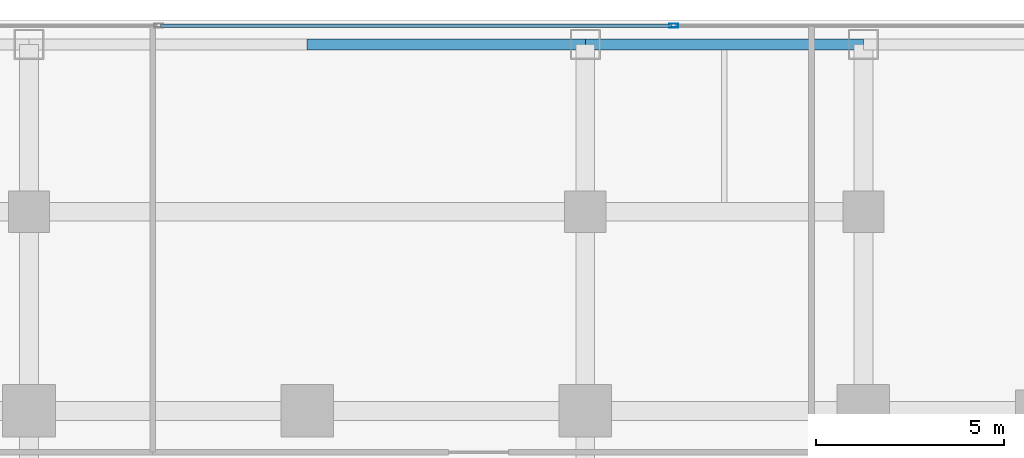
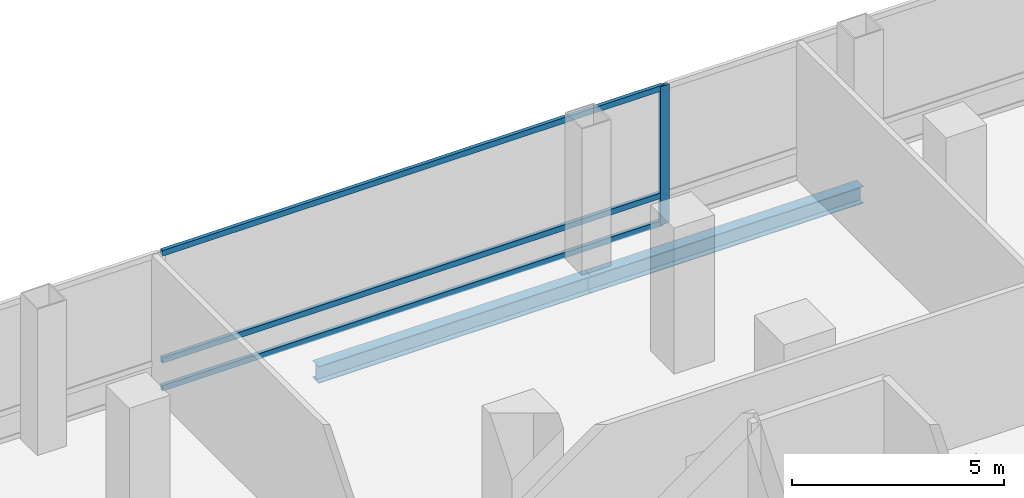
# One storey, part 18 of 29: 4 members, 2 beams, 1 element without a shape of its own.
"""IFC4 building model written with IfcOpenShell, lengths in metres."""

from ifc_helpers import new_model, si_unit, direction, frame, origin, origin_2d, place, context, subcontext, project, spatial, hollow_rectangle, i_section, extrude, material, layer, layer_set, material_profile, profile_set, type_object, element, aggregate, save


model = new_model("IFC4")

# Units and contexts
model_context = context("Model", 3, precision=1e-05, world=origin(), true_north=direction((0.0, 1.0)))
body_context = subcontext(model_context, "Body", "Model", "MODEL_VIEW")
ifc_project = project(units=[si_unit("LENGTHUNIT", "METRE"), si_unit("AREAUNIT", "SQUARE_METRE"), si_unit("VOLUMEUNIT", "CUBIC_METRE"), si_unit("PLANEANGLEUNIT", "RADIAN"), si_unit("MASSUNIT", "GRAM", prefix="KILO")], contexts=[model_context])

# Site, building, storey
site_placement = place(None, origin())
site = spatial("IfcSite", under=ifc_project, at=site_placement, CompositionType="ELEMENT")
building_placement = place(site_placement, origin())
building = spatial("IfcBuilding", under=site, at=building_placement, Name="Khorvyn Point Tower", CompositionType="ELEMENT")
storey_placement = place(building_placement, frame((0.0, 0.0, 26.39990234375)))
storey = spatial("IfcBuildingStorey", under=building, at=storey_placement, Name="L07", CompositionType="ELEMENT", Elevation=26.39990234375)

# Curtain wall, members
ifc_material_1 = material(Name="Anodised aluminium 6063-T6 and laminated Low-E glass", Category="aluminium")
ifc_layer = layer(ifc_material_1, 0.18994140625)
ifc_layer_set = layer_set([ifc_layer], Name="Stick-Built Finned Residential Curtain Wall CW-SYS-02")
curtain_wall_type = type_object("IfcCurtainWallType", Name="Stick-Built Finned Residential Curtain Wall CW-SYS-02", PredefinedType="NOTDEFINED", material=ifc_layer_set)
curtain_wall_placement = place(storey_placement, origin())
curtain_wall = element("IfcCurtainWall", 1, at=curtain_wall_placement, inside=storey, type_object=curtain_wall_type, Name="Curtain Wall", PredefinedType="NOTDEFINED")
ifc_material_2 = material(Name="Anodised aluminium 6063-T6", Category="aluminium")
ifc_material_profile_1 = material_profile(ifc_material_2, hollow_rectangle(XDim=0.10009765625, YDim=0.239990234375, WallThickness=0.0048828125, at=origin_2d()))
ifc_profile_set_1 = profile_set([ifc_material_profile_1], Name="Anodised aluminium 6063-T6 ALU-MUL-100x240")
member_type_1 = type_object("IfcMemberType", Name="Anodised Aluminium 6063-T6 Mullion ALU-MUL-100x240", PredefinedType="MULLION", material=ifc_profile_set_1)
member_1_placement = place(storey_placement, frame((9.75, 25.050048828125, 0.0), z_axis=(0.0, 0.0, 1.0), x_axis=(0.0, 1.0, 0.0)))
member_1 = element("IfcMember", 2, at=member_1_placement, type_object=member_type_1, Name="Transom", PredefinedType="MULLION", context=body_context, shape_type="SweptSolid", body=[
    extrude(hollow_rectangle(XDim=0.10009765625, YDim=0.239990234375, WallThickness=0.0048828125, at=origin_2d()), origin(), (0.0, 0.0, 1.0), 3.97998046875),
])
ifc_material_profile_2 = material_profile(ifc_material_2, hollow_rectangle(XDim=0.10009765625, YDim=0.159912109375, WallThickness=0.00439453125, at=origin_2d()))
ifc_profile_set_2 = profile_set([ifc_material_profile_2], Name="Anodised aluminium 6063-T6 ALU-TRN-100x160")
member_type_2 = type_object("IfcMemberType", Name="Anodised Aluminium 6063-T6 Transom ALU-TRN-100x160", PredefinedType="USERDEFINED", material=ifc_profile_set_2)
member_2_placement = place(storey_placement, frame((-3.89990234375, 25.050048828125, 0.050048828125), z_axis=(1.0, 0.0, 0.0), x_axis=(0.0, 1.0, 0.0)))
member_2 = element("IfcMember", 3, at=member_2_placement, type_object=member_type_2, Name="Transom", ObjectType="TRANSOM", PredefinedType="USERDEFINED", context=body_context, shape_type="SweptSolid", body=[
    extrude(hollow_rectangle(XDim=0.10009765625, YDim=0.159912109375, WallThickness=0.00439453125, at=origin_2d()), origin(), (0.0, 0.0, 1.0), 13.599853515625),
])
member_3_placement = place(storey_placement, frame((-3.89990234375, 25.050048828125, 0.85009765625), z_axis=(1.0, 0.0, 0.0), x_axis=(0.0, 1.0, 0.0)))
member_3 = element("IfcMember", 4, at=member_3_placement, type_object=member_type_2, Name="Transom", ObjectType="TRANSOM", PredefinedType="USERDEFINED", context=body_context, shape_type="SweptSolid", body=[
    extrude(hollow_rectangle(XDim=0.10009765625, YDim=0.159912109375, WallThickness=0.00439453125, at=origin_2d()), origin(), (0.0, 0.0, 1.0), 13.599853515625),
])
member_4_placement = place(storey_placement, frame((-3.89990234375, 25.050048828125, 3.93017578125), z_axis=(1.0, 0.0, 0.0), x_axis=(0.0, 1.0, 0.0)))
member_4 = element("IfcMember", 5, at=member_4_placement, type_object=member_type_2, Name="Transom", ObjectType="TRANSOM", PredefinedType="USERDEFINED", context=body_context, shape_type="SweptSolid", body=[
    extrude(hollow_rectangle(XDim=0.10009765625, YDim=0.159912109375, WallThickness=0.00439453125, at=origin_2d()), origin(), (0.0, 0.0, 1.0), 13.599853515625),
])
aggregate(curtain_wall, [member_1, member_2, member_3, member_4])

# Beams
ifc_material_3 = material(Name="Steel S355", Category="steel")
ifc_material_profile_3 = material_profile(ifc_material_3, i_section(OverallWidth=0.300048828125, OverallDepth=0.488037109375, WebThickness=0.010986328125, FlangeThickness=0.01806640625, at=origin_2d()))
ifc_profile_set_3 = profile_set([ifc_material_profile_3], Name="Steel S355 H488x300x11x18")
beam_type = type_object("IfcBeamType", Name="Steel S355 Spandrel H488x300x11x18", PredefinedType="SPANDREL", material=ifc_profile_set_3)
beam_1_placement = place(storey_placement, frame((0.0, 24.550048828125, -0.56396484375), z_axis=(1.0, 0.0, 0.0), x_axis=(0.0, 1.0, 0.0)))
element("IfcBeam", 6, at=beam_1_placement, inside=storey, type_object=beam_type, Name="Beam", PredefinedType="SPANDREL", context=body_context, shape_type="SweptSolid", body=[
    extrude(i_section(OverallWidth=0.300048828125, OverallDepth=0.488037109375, WebThickness=0.010986328125, FlangeThickness=0.01806640625, at=origin_2d()), origin(), (0.0, 0.0, 1.0), 7.39990234375),
])
beam_2_placement = place(storey_placement, frame((7.39990234375, 24.550048828125, -0.56396484375), z_axis=(1.0, 0.0, 0.0), x_axis=(0.0, 1.0, 0.0)))
element("IfcBeam", 7, at=beam_2_placement, inside=storey, type_object=beam_type, Name="Beam", PredefinedType="SPANDREL", context=body_context, shape_type="SweptSolid", body=[
    extrude(i_section(OverallWidth=0.300048828125, OverallDepth=0.488037109375, WebThickness=0.010986328125, FlangeThickness=0.01806640625, at=origin_2d()), origin(), (0.0, 0.0, 1.0), 7.400146484375),
])

save(model, "model.ifc")
